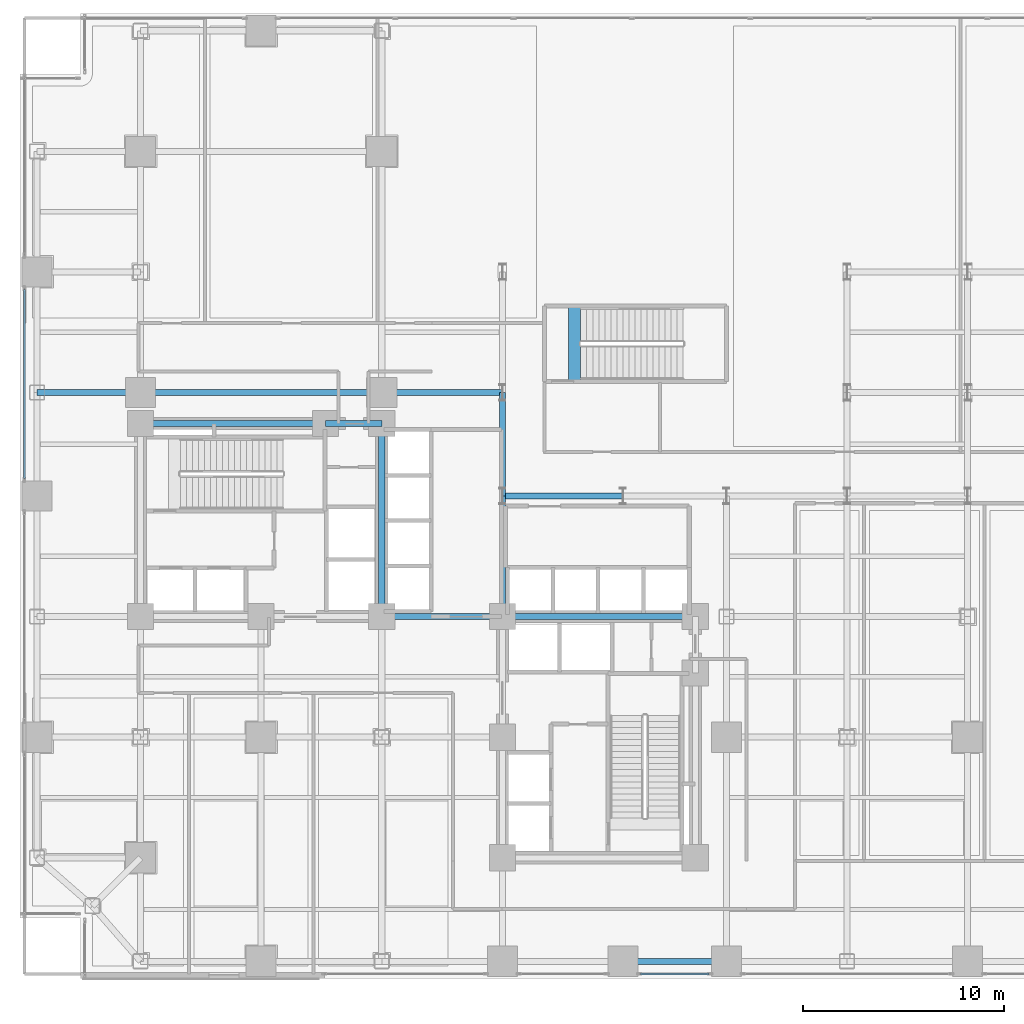
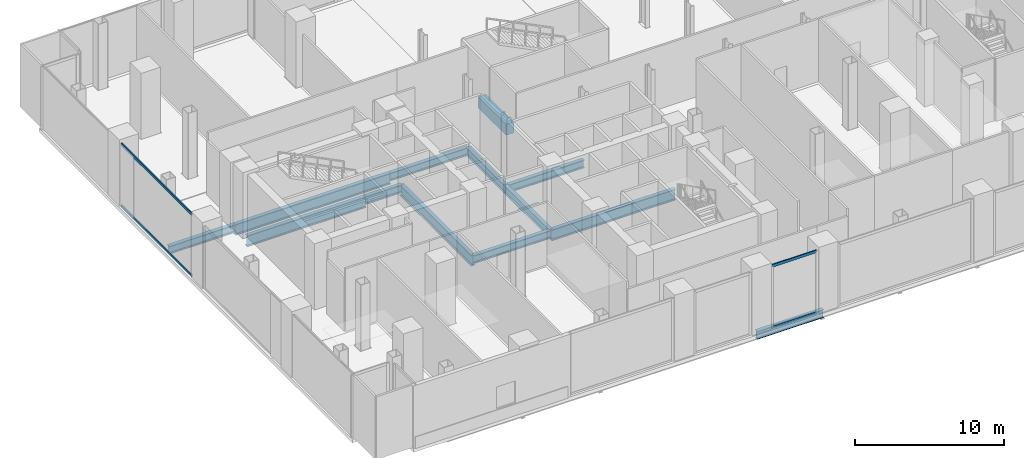
# One storey, part 8 of 27: 13 beams, 4 members, 2 elements without a shape of their own.
"""IFC4 building model written with IfcOpenShell, lengths in metres."""

from ifc_helpers import new_model, si_unit, direction, frame, origin, origin_2d, place, context, subcontext, project, spatial, rectangle, hollow_rectangle, i_section, extrude, material, layer, layer_set, material_profile, profile_set, type_object, element, aggregate, save


model = new_model("IFC4")

# Units and contexts
model_context = context("Model", 3, precision=1e-05, world=origin(), true_north=direction((0.0, 1.0)))
body_context = subcontext(model_context, "Body", "Model", "MODEL_VIEW")
ifc_project = project(units=[si_unit("LENGTHUNIT", "METRE"), si_unit("AREAUNIT", "SQUARE_METRE"), si_unit("VOLUMEUNIT", "CUBIC_METRE"), si_unit("PLANEANGLEUNIT", "RADIAN"), si_unit("MASSUNIT", "GRAM", prefix="KILO"), si_unit("THERMODYNAMICTEMPERATUREUNIT", "KELVIN"), si_unit("POWERUNIT", "WATT")], contexts=[model_context])

# Site, building, storey
site_placement = place(None, origin())
site = spatial("IfcSite", under=ifc_project, at=site_placement, CompositionType="ELEMENT")
building_placement = place(site_placement, origin())
building = spatial("IfcBuilding", under=site, at=building_placement, Name="Svarakhadi Broadcast Tower", CompositionType="ELEMENT")
storey_placement = place(building_placement, frame((0.0, 0.0, 16.5)))
storey = spatial("IfcBuildingStorey", under=building, at=storey_placement, Name="L03", CompositionType="ELEMENT", Elevation=16.5)

# Curtain wall, members
ifc_material_1 = material(Name="Anodised Bronze Aluminium AA 6063-T6", Category="aluminium")
ifc_layer = layer(ifc_material_1, 0.25)
ifc_layer_set = layer_set([ifc_layer], Name="Anodised Bronze Aluminium AA 6063-T6")
curtain_wall_type = type_object("IfcCurtainWallType", Name="CW_Sys_01", PredefinedType="NOTDEFINED", material=ifc_layer_set)
curtain_wall_1_placement = place(storey_placement, origin())
curtain_wall_1 = element("IfcCurtainWall", 1, at=curtain_wall_1_placement, inside=storey, type_object=curtain_wall_type, Name="L03 Unitised Facade Curtain Wall 02 Bay 3", PredefinedType="NOTDEFINED")
ifc_material_profile_1 = material_profile(ifc_material_1, hollow_rectangle(XDim=0.0849609375, YDim=0.219970703125, WallThickness=0.0048828125, at=origin_2d()), Name="ALU TRANSOM 220x85x5")
ifc_profile_set_1 = profile_set([ifc_material_profile_1], Name="Anodised Bronze Aluminium AA 6063-T6")
member_type = type_object("IfcMemberType", Name="CW_Sys_01_Trn", PredefinedType="USERDEFINED", material=ifc_profile_set_1)
member_1_placement = place(storey_placement, frame((0.219970703125, 24.864990234375, 0.04248046875), z_axis=(0.0, 1.0, 0.0), x_axis=(-1.0, 0.0, 0.0)))
member_1 = element("IfcMember", 2, at=member_1_placement, type_object=member_type, Name="CW-01 transom 1.1", ObjectType="TRANSOM", PredefinedType="USERDEFINED", context=body_context, shape_type="SweptSolid", body=[
    extrude(hollow_rectangle(XDim=0.0849609375, YDim=0.219970703125, WallThickness=0.0048828125, at=origin_2d()), origin(), (0.0, 0.0, 1.0), 9.419921875),
])
member_2_placement = place(storey_placement, frame((0.219970703125, 24.864990234375, 5.08251953125), z_axis=(0.0, 1.0, 0.0), x_axis=(-1.0, 0.0, 0.0)))
member_2 = element("IfcMember", 3, at=member_2_placement, type_object=member_type, Name="CW-01 transom 1.2", ObjectType="TRANSOM", PredefinedType="USERDEFINED", context=body_context, shape_type="SweptSolid", body=[
    extrude(hollow_rectangle(XDim=0.0849609375, YDim=0.219970703125, WallThickness=0.0048828125, at=origin_2d()), origin(), (0.0, 0.0, 1.0), 9.419921875),
])
aggregate(curtain_wall_1, [member_1, member_2])

curtain_wall_2_placement = place(storey_placement, origin())
curtain_wall_2 = element("IfcCurtainWall", 4, at=curtain_wall_2_placement, inside=storey, type_object=curtain_wall_type, Name="L03 South Curtain Wall 11 Bay 3", PredefinedType="NOTDEFINED")
member_3_placement = place(storey_placement, frame((34.284912109375, 0.219970703125, 0.04248046875), z_axis=(-1.0, 0.0, 0.0), x_axis=(0.0, -1.0, 0.0)))
member_3 = element("IfcMember", 5, at=member_3_placement, type_object=member_type, Name="CW-01 transom 1.1", ObjectType="TRANSOM", PredefinedType="USERDEFINED", context=body_context, shape_type="SweptSolid", body=[
    extrude(hollow_rectangle(XDim=0.0849609375, YDim=0.219970703125, WallThickness=0.0048828125, at=origin_2d()), origin(), (0.0, 0.0, 1.0), 3.419921875),
])
member_4_placement = place(storey_placement, frame((34.284912109375, 0.219970703125, 5.08251953125), z_axis=(-1.0, 0.0, 0.0), x_axis=(0.0, -1.0, 0.0)))
member_4 = element("IfcMember", 6, at=member_4_placement, type_object=member_type, Name="CW-01 transom 1.2", ObjectType="TRANSOM", PredefinedType="USERDEFINED", context=body_context, shape_type="SweptSolid", body=[
    extrude(hollow_rectangle(XDim=0.0849609375, YDim=0.219970703125, WallThickness=0.0048828125, at=origin_2d()), origin(), (0.0, 0.0, 1.0), 3.419921875),
])
aggregate(curtain_wall_2, [member_3, member_4])

# Beams
ifc_material_2 = material(Name="Concrete C50/60 (IS 456 M60)", Category="concrete")
ifc_material_profile_2 = material_profile(ifc_material_2, rectangle(XDim=0.60009765625, YDim=0.89990234375, at=origin_2d()), Name="RC 600x900")
ifc_profile_set_2 = profile_set([ifc_material_profile_2], Name="Concrete C50/60 (IS 456 M60)")
beam_type_1 = type_object("IfcBeamType", Name="Coupling_RC600", PredefinedType="USERDEFINED", material=ifc_profile_set_2)
beam_1_placement = place(storey_placement, frame((27.60009765625, 29.699951171875, -0.449951171875), z_axis=(0.0, 1.0, 0.0), x_axis=(-1.0, 0.0, 0.0)))
element("IfcBeam", 7, at=beam_1_placement, inside=storey, type_object=beam_type_1, Name="L03 Stair ST-03 Landing Throat Trimmer Beam CB-01", ObjectType="GIRDER", PredefinedType="USERDEFINED", context=body_context, shape_type="SweptSolid", body=[
    extrude(rectangle(XDim=0.60009765625, YDim=0.89990234375, at=origin_2d()), origin(), (0.0, 0.0, 1.0), 3.760009765625),
])
ifc_material_3 = material(Name="Steel S355J2 (IS 2062 E350C)", Category="steel")
ifc_material_profile_3 = material_profile(ifc_material_3, i_section(OverallWidth=0.300048828125, OverallDepth=0.64990234375, WebThickness=0.01611328125, FlangeThickness=0.031005859375, FilletRadius=0.027099609375, at=origin_2d()), Name="WPB 650x300x225")
ifc_profile_set_3 = profile_set([ifc_material_profile_3], Name="Steel S355J2 (IS 2062 E350C)")
beam_type_2 = type_object("IfcBeamType", Name="Girder_WPB650", PredefinedType="USERDEFINED", material=ifc_profile_set_3)
beam_2_placement = place(storey_placement, frame((30.0, 0.85009765625, -0.625), z_axis=(1.0, 0.0, 0.0), x_axis=(0.0, 1.0, 0.0)))
element("IfcBeam", 8, at=beam_2_placement, inside=storey, type_object=beam_type_2, Name="L03 Primary E-W Girder G008", ObjectType="GIRDER", PredefinedType="USERDEFINED", context=body_context, shape_type="SweptSolid", body=[
    extrude(i_section(OverallWidth=0.300048828125, OverallDepth=0.64990234375, WebThickness=0.01611328125, FlangeThickness=0.031005859375, FilletRadius=0.027099609375, at=origin_2d()), origin(), (0.0, 0.0, 1.0), 5.14990234375),
])
for number, where, z_axis, x_axis, name in (
    (9, (18.0, 18.0, -0.625), (1.0, 0.0, 0.0), (0.0, 1.0, 0.0), "L03 Primary E-W Girder G023"),
    (10, (24.0, 24.0, -0.625), (1.0, 0.0, 0.0), (0.0, 1.0, 0.0), "L03 Primary E-W Girder G026"),
):
    element("IfcBeam", number, at=place(storey_placement, frame(where, z_axis=z_axis, x_axis=x_axis)), inside=storey, type_object=beam_type_2, Name=name, ObjectType="GIRDER", PredefinedType="USERDEFINED", context=body_context, shape_type="SweptSolid", body=[
        extrude(i_section(OverallWidth=0.300048828125, OverallDepth=0.64990234375, WebThickness=0.01611328125, FlangeThickness=0.031005859375, FilletRadius=0.027099609375, at=origin_2d()), origin(), (0.0, 0.0, 1.0), 6.0),
    ])
beam_3_placement = place(storey_placement, frame((15.199951171875, 27.60009765625, -0.625), z_axis=(1.0, 0.0, 0.0), x_axis=(0.0, 1.0, 0.0)))
element("IfcBeam", 11, at=beam_3_placement, inside=storey, type_object=beam_type_2, Name="L03 Primary E-W Girder G031", ObjectType="GIRDER", PredefinedType="USERDEFINED", context=body_context, shape_type="SweptSolid", body=[
    extrude(i_section(OverallWidth=0.300048828125, OverallDepth=0.64990234375, WebThickness=0.01611328125, FlangeThickness=0.031005859375, FilletRadius=0.027099609375, at=origin_2d()), origin(), (0.0, 0.0, 1.0), 2.800048828125),
])
beam_4_placement = place(storey_placement, frame((0.85009765625, 29.14990234375, -0.625), z_axis=(1.0, 0.0, 0.0), x_axis=(0.0, 1.0, 0.0)))
element("IfcBeam", 12, at=beam_4_placement, inside=storey, type_object=beam_type_2, Name="L03 Primary E-W Girder G032", ObjectType="GIRDER", PredefinedType="USERDEFINED", context=body_context, shape_type="SweptSolid", body=[
    extrude(i_section(OverallWidth=0.300048828125, OverallDepth=0.64990234375, WebThickness=0.01611328125, FlangeThickness=0.031005859375, FilletRadius=0.027099609375, at=origin_2d()), origin(), (0.0, 0.0, 1.0), 5.14990234375),
])
for number, where, z_axis, x_axis, name in (
    (13, (18.0, 29.14990234375, -0.625), (1.0, 0.0, 0.0), (0.0, 1.0, 0.0), "L03 Primary E-W Girder G034"),
    (14, (24.0, 18.0, -0.625), (0.0, 1.0, 0.0), (-1.0, 0.0, 0.0), "L03 Primary N-S Girder G067"),
):
    element("IfcBeam", number, at=place(storey_placement, frame(where, z_axis=z_axis, x_axis=x_axis)), inside=storey, type_object=beam_type_2, Name=name, ObjectType="GIRDER", PredefinedType="USERDEFINED", context=body_context, shape_type="SweptSolid", body=[
        extrude(i_section(OverallWidth=0.300048828125, OverallDepth=0.64990234375, WebThickness=0.01611328125, FlangeThickness=0.031005859375, FilletRadius=0.027099609375, at=origin_2d()), origin(), (0.0, 0.0, 1.0), 6.0),
    ])
beam_5_placement = place(storey_placement, frame((24.0, 24.0, -0.625), z_axis=(0.0, 1.0, 0.0), x_axis=(-1.0, 0.0, 0.0)))
element("IfcBeam", 15, at=beam_5_placement, inside=storey, type_object=beam_type_2, Name="L03 Primary N-S Girder G068", ObjectType="GIRDER", PredefinedType="USERDEFINED", context=body_context, shape_type="SweptSolid", body=[
    extrude(i_section(OverallWidth=0.300048828125, OverallDepth=0.64990234375, WebThickness=0.01611328125, FlangeThickness=0.031005859375, FilletRadius=0.027099609375, at=origin_2d()), origin(), (0.0, 0.0, 1.0), 5.14990234375),
])
ifc_material_4 = material(Name="Steel S460ML (IS 2062 E450BR)", Category="steel")
ifc_material_profile_4 = material_profile(ifc_material_4, i_section(OverallWidth=0.300048828125, OverallDepth=0.89990234375, WebThickness=0.0185546875, FlangeThickness=0.034912109375, FilletRadius=0.030029296875, at=origin_2d()), Name="WPB 900x300x291")
ifc_profile_set_4 = profile_set([ifc_material_profile_4], Name="Steel S460ML (IS 2062 E450BR)")
beam_type_3 = type_object("IfcBeamType", Name="Girder_WPB900", PredefinedType="USERDEFINED", material=ifc_profile_set_4)
beam_6_placement = place(storey_placement, frame((24.0, 18.0, -0.75), z_axis=(1.0, 0.0, 0.0), x_axis=(0.0, 1.0, 0.0)))
element("IfcBeam", 16, at=beam_6_placement, inside=storey, type_object=beam_type_3, Name="L03 Primary E-W Girder G024", ObjectType="GIRDER", PredefinedType="USERDEFINED", context=body_context, shape_type="SweptSolid", body=[
    extrude(i_section(OverallWidth=0.300048828125, OverallDepth=0.89990234375, WebThickness=0.0185546875, FlangeThickness=0.034912109375, FilletRadius=0.030029296875, at=origin_2d()), origin(), (0.0, 0.0, 1.0), 9.60009765625),
])
beam_7_placement = place(storey_placement, frame((6.0, 27.60009765625, -0.75), z_axis=(1.0, 0.0, 0.0), x_axis=(0.0, 1.0, 0.0)))
element("IfcBeam", 17, at=beam_7_placement, inside=storey, type_object=beam_type_3, Name="L03 Primary E-W Girder G030", ObjectType="GIRDER", PredefinedType="USERDEFINED", context=body_context, shape_type="SweptSolid", body=[
    extrude(i_section(OverallWidth=0.300048828125, OverallDepth=0.89990234375, WebThickness=0.0185546875, FlangeThickness=0.034912109375, FilletRadius=0.030029296875, at=origin_2d()), origin(), (0.0, 0.0, 1.0), 9.199951171875),
])
beam_8_placement = place(storey_placement, frame((6.0, 29.14990234375, -0.75), z_axis=(1.0, 0.0, 0.0), x_axis=(0.0, 1.0, 0.0)))
element("IfcBeam", 18, at=beam_8_placement, inside=storey, type_object=beam_type_3, Name="L03 Primary E-W Girder G033", ObjectType="GIRDER", PredefinedType="USERDEFINED", context=body_context, shape_type="SweptSolid", body=[
    extrude(i_section(OverallWidth=0.300048828125, OverallDepth=0.89990234375, WebThickness=0.0185546875, FlangeThickness=0.034912109375, FilletRadius=0.030029296875, at=origin_2d()), origin(), (0.0, 0.0, 1.0), 12.0),
])
beam_9_placement = place(storey_placement, frame((18.0, 18.0, -0.75), z_axis=(0.0, 1.0, 0.0), x_axis=(-1.0, 0.0, 0.0)))
element("IfcBeam", 19, at=beam_9_placement, inside=storey, type_object=beam_type_3, Name="L03 Primary N-S Girder G061", ObjectType="GIRDER", PredefinedType="USERDEFINED", context=body_context, shape_type="SweptSolid", body=[
    extrude(i_section(OverallWidth=0.300048828125, OverallDepth=0.89990234375, WebThickness=0.0185546875, FlangeThickness=0.034912109375, FilletRadius=0.030029296875, at=origin_2d()), origin(), (0.0, 0.0, 1.0), 9.60009765625),
])

save(model, "model.ifc")
